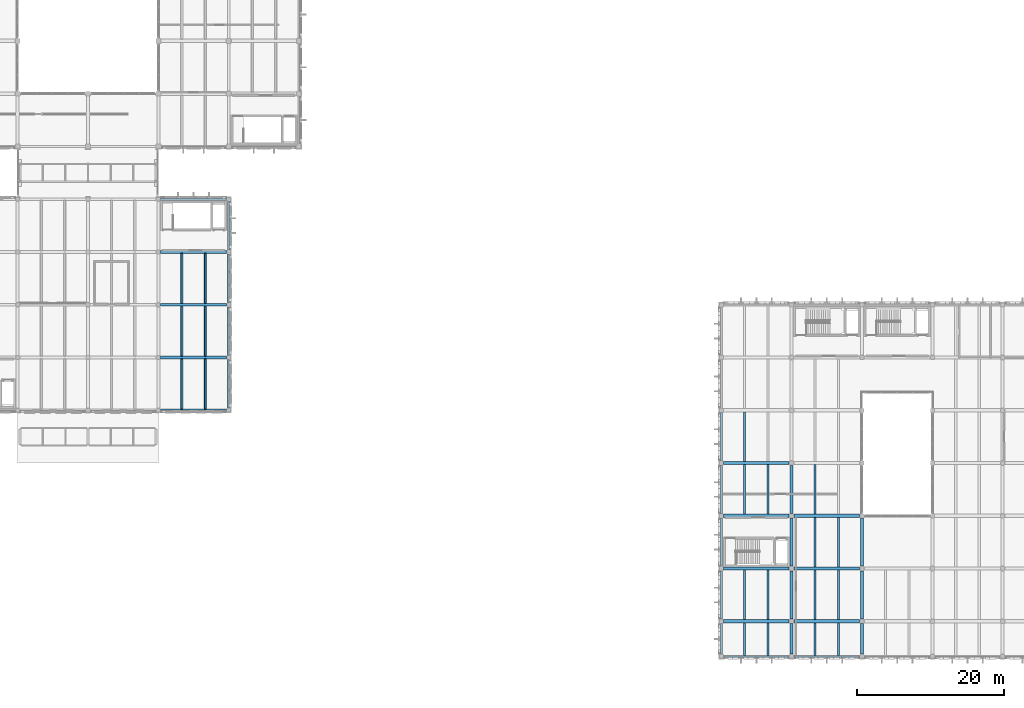
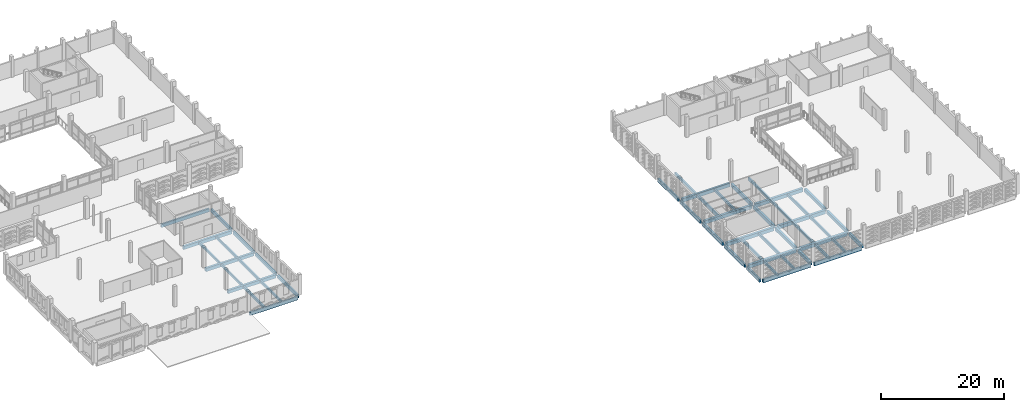
# One storey, part 8 of 72: 50 beams.
"""IFC4 building model written with IfcOpenShell, lengths in metres."""

from ifc_helpers import new_model, si_unit, direction, frame, origin, origin_2d, place, context, subcontext, project, spatial, rectangle, extrude, material, material_profile, profile_set, type_object, element, save


model = new_model("IFC4")

# Units and contexts
model_context = context("Model", 3, precision=1e-05, world=origin(), true_north=direction((0.0, 1.0)))
body_context = subcontext(model_context, "Body", "Model", "MODEL_VIEW")
ifc_project = project(units=[si_unit("LENGTHUNIT", "METRE"), si_unit("AREAUNIT", "SQUARE_METRE"), si_unit("VOLUMEUNIT", "CUBIC_METRE"), si_unit("PLANEANGLEUNIT", "RADIAN"), si_unit("MASSUNIT", "GRAM", prefix="KILO")], contexts=[model_context])

# Site, building, storey
site_placement = place(None, origin())
site = spatial("IfcSite", under=ifc_project, at=site_placement, CompositionType="ELEMENT")
building_placement = place(site_placement, origin())
building = spatial("IfcBuilding", under=site, at=building_placement, Name="Asteropetra Specialist Clinic", CompositionType="ELEMENT")
storey_placement = place(building_placement, frame((0.0, 0.0, 12.580078125)))
storey = spatial("IfcBuildingStorey", under=building, at=storey_placement, Name="L03", CompositionType="ELEMENT", Elevation=12.580078125)

# Beams
ifc_material_1 = material(Name="Concrete C35/45", Category="concrete")
ifc_material_profile_1 = material_profile(ifc_material_1, rectangle(XDim=0.39990234375, YDim=0.64990234375, at=origin_2d()), Name="RCB 400x650")
ifc_profile_set_1 = profile_set([ifc_material_profile_1], Name="Concrete C35/45")
beam_type_1 = type_object("IfcBeamType", Name="BM-RC400x650", PredefinedType="BEAM", material=ifc_profile_set_1)
for number, where, z_axis, x_axis, name in (
    (1, (29.10009765625, 40.800048828125, -0.625), (1.0, 0.0, 0.0), (0.0, 1.0, 0.0), "Beam BBM07-1377"),
    (2, (29.10009765625, 48.0, -0.625), (1.0, 0.0, 0.0), (0.0, 1.0, 0.0), "Beam BBM07-1381"),
    (3, (29.10009765625, 55.199951171875, -0.625), (1.0, 0.0, 0.0), (0.0, 1.0, 0.0), "Beam BBM07-1385"),
):
    element("IfcBeam", number, at=place(storey_placement, frame(where, z_axis=z_axis, x_axis=x_axis)), inside=storey, type_object=beam_type_1, Name=name, PredefinedType="BEAM", context=body_context, shape_type="SweptSolid", body=[
        extrude(rectangle(XDim=0.39990234375, YDim=0.64990234375, at=origin_2d()), origin(), (0.0, 0.0, 1.0), 9.0),
    ])
for number, where, z_axis, x_axis, name in (
    (4, (115.199951171875, 0.324951171875, -0.625), (0.0, 1.0, 0.0), (-1.0, 0.0, 0.0), "Beam BBM07-1476"),
    (5, (124.800048828125, 0.324951171875, -0.625), (0.0, 1.0, 0.0), (-1.0, 0.0, 0.0), "Beam BBM07-1477"),
):
    element("IfcBeam", number, at=place(storey_placement, frame(where, z_axis=z_axis, x_axis=x_axis)), inside=storey, type_object=beam_type_1, Name=name, PredefinedType="BEAM", context=body_context, shape_type="SweptSolid", body=[
        extrude(rectangle(XDim=0.39990234375, YDim=0.64990234375, at=origin_2d()), origin(), (0.0, 0.0, 1.0), 4.150146484375),
    ])
for number, where, z_axis, x_axis, name in (
    (6, (115.199951171875, 5.125, -0.625), (0.0, 1.0, 0.0), (-1.0, 0.0, 0.0), "Beam BBM07-1492"),
    (7, (124.800048828125, 5.125, -0.625), (0.0, 1.0, 0.0), (-1.0, 0.0, 0.0), "Beam BBM07-1493"),
    (8, (115.199951171875, 12.324951171875, -0.625), (0.0, 1.0, 0.0), (-1.0, 0.0, 0.0), "Beam BBM07-1508"),
    (9, (124.800048828125, 12.324951171875, -0.625), (0.0, 1.0, 0.0), (-1.0, 0.0, 0.0), "Beam BBM07-1509"),
    (10, (115.199951171875, 19.52490234375, -0.625), (0.0, 1.0, 0.0), (-1.0, 0.0, 0.0), "Beam BBM07-1520"),
):
    element("IfcBeam", number, at=place(storey_placement, frame(where, z_axis=z_axis, x_axis=x_axis)), inside=storey, type_object=beam_type_1, Name=name, PredefinedType="BEAM", context=body_context, shape_type="SweptSolid", body=[
        extrude(rectangle(XDim=0.39990234375, YDim=0.64990234375, at=origin_2d()), origin(), (0.0, 0.0, 1.0), 6.550048828125),
    ])
ifc_material_2 = material(Name="Concrete C35/45", Category="concrete")
ifc_material_profile_2 = material_profile(ifc_material_2, rectangle(XDim=0.449951171875, YDim=0.699951171875, at=origin_2d()), Name="RCB 450x700")
ifc_profile_set_2 = profile_set([ifc_material_profile_2], Name="Concrete C35/45")
beam_type_2 = type_object("IfcBeamType", Name="BM-RC450x700", PredefinedType="BEAM", material=ifc_profile_set_2)
beam_1_placement = place(storey_placement, frame((105.925048828125, 4.800048828125, -0.650146484375), z_axis=(1.0, 0.0, 0.0), x_axis=(0.0, 1.0, 0.0)))
element("IfcBeam", 11, at=beam_1_placement, inside=storey, type_object=beam_type_2, Name="Beam BBM05-1443", PredefinedType="BEAM", context=body_context, shape_type="SweptSolid", body=[
    extrude(rectangle(XDim=0.449951171875, YDim=0.699951171875, at=origin_2d()), origin(), (0.0, 0.0, 1.0), 8.949951171875),
])
beam_2_placement = place(storey_placement, frame((115.52490234375, 4.800048828125, -0.650146484375), z_axis=(1.0, 0.0, 0.0), x_axis=(0.0, 1.0, 0.0)))
element("IfcBeam", 12, at=beam_2_placement, inside=storey, type_object=beam_type_2, Name="Beam BBM05-1444", PredefinedType="BEAM", context=body_context, shape_type="SweptSolid", body=[
    extrude(rectangle(XDim=0.449951171875, YDim=0.699951171875, at=origin_2d()), origin(), (0.0, 0.0, 1.0), 8.9501953125),
])
beam_3_placement = place(storey_placement, frame((105.925048828125, 12.0, -0.650146484375), z_axis=(1.0, 0.0, 0.0), x_axis=(0.0, 1.0, 0.0)))
element("IfcBeam", 13, at=beam_3_placement, inside=storey, type_object=beam_type_2, Name="Beam BBM05-1448", PredefinedType="BEAM", context=body_context, shape_type="SweptSolid", body=[
    extrude(rectangle(XDim=0.449951171875, YDim=0.699951171875, at=origin_2d()), origin(), (0.0, 0.0, 1.0), 8.949951171875),
])
beam_4_placement = place(storey_placement, frame((115.52490234375, 12.0, -0.650146484375), z_axis=(1.0, 0.0, 0.0), x_axis=(0.0, 1.0, 0.0)))
element("IfcBeam", 14, at=beam_4_placement, inside=storey, type_object=beam_type_2, Name="Beam BBM05-1449", PredefinedType="BEAM", context=body_context, shape_type="SweptSolid", body=[
    extrude(rectangle(XDim=0.449951171875, YDim=0.699951171875, at=origin_2d()), origin(), (0.0, 0.0, 1.0), 8.9501953125),
])
beam_5_placement = place(storey_placement, frame((105.925048828125, 19.199951171875, -0.650146484375), z_axis=(1.0, 0.0, 0.0), x_axis=(0.0, 1.0, 0.0)))
element("IfcBeam", 15, at=beam_5_placement, inside=storey, type_object=beam_type_2, Name="Beam BBM05-1453", PredefinedType="BEAM", context=body_context, shape_type="SweptSolid", body=[
    extrude(rectangle(XDim=0.449951171875, YDim=0.699951171875, at=origin_2d()), origin(), (0.0, 0.0, 1.0), 8.949951171875),
])
beam_6_placement = place(storey_placement, frame((115.52490234375, 19.199951171875, -0.650146484375), z_axis=(1.0, 0.0, 0.0), x_axis=(0.0, 1.0, 0.0)))
element("IfcBeam", 16, at=beam_6_placement, inside=storey, type_object=beam_type_2, Name="Beam BBM05-1454", PredefinedType="BEAM", context=body_context, shape_type="SweptSolid", body=[
    extrude(rectangle(XDim=0.449951171875, YDim=0.699951171875, at=origin_2d()), origin(), (0.0, 0.0, 1.0), 8.9501953125),
])
beam_7_placement = place(storey_placement, frame((105.925048828125, 26.39990234375, -0.650146484375), z_axis=(1.0, 0.0, 0.0), x_axis=(0.0, 1.0, 0.0)))
element("IfcBeam", 17, at=beam_7_placement, inside=storey, type_object=beam_type_2, Name="Beam BBM05-1457", PredefinedType="BEAM", context=body_context, shape_type="SweptSolid", body=[
    extrude(rectangle(XDim=0.449951171875, YDim=0.699951171875, at=origin_2d()), origin(), (0.0, 0.0, 1.0), 8.949951171875),
])
ifc_material_3 = material(Name="Concrete C35/45", Category="concrete")
ifc_material_profile_3 = material_profile(ifc_material_3, rectangle(XDim=0.260009765625, YDim=0.47998046875, at=origin_2d()), Name="RCJ 260x480")
ifc_profile_set_3 = profile_set([ifc_material_profile_3], Name="Concrete C35/45")
beam_type_3 = type_object("IfcBeamType", Name="JST-RC260x480", PredefinedType="JOIST", material=ifc_profile_set_3)
for number, where, z_axis, x_axis, name in (
    (18, (32.0, 33.75, -0.5400390625), (0.0, 1.0, 0.0), (-1.0, 0.0, 0.0), "Joist JJST02-1399"),
    (19, (35.199951171875, 33.75, -0.5400390625), (0.0, 1.0, 0.0), (-1.0, 0.0, 0.0), "Joist JJST02-1400"),
):
    element("IfcBeam", number, at=place(storey_placement, frame(where, z_axis=z_axis, x_axis=x_axis)), inside=storey, type_object=beam_type_3, Name=name, PredefinedType="JOIST", context=body_context, shape_type="SweptSolid", body=[
        extrude(rectangle(XDim=0.260009765625, YDim=0.47998046875, at=origin_2d()), origin(), (0.0, 0.0, 1.0), 6.85009765625),
    ])
for number, where, z_axis, x_axis, name in (
    (20, (32.0, 41.0, -0.5400390625), (0.0, 1.0, 0.0), (-1.0, 0.0, 0.0), "Joist JJST02-1412"),
    (21, (35.199951171875, 41.0, -0.5400390625), (0.0, 1.0, 0.0), (-1.0, 0.0, 0.0), "Joist JJST02-1413"),
    (22, (32.0, 48.199951171875, -0.5400390625), (0.0, 1.0, 0.0), (-1.0, 0.0, 0.0), "Joist JJST02-1425"),
    (23, (35.199951171875, 48.199951171875, -0.5400390625), (0.0, 1.0, 0.0), (-1.0, 0.0, 0.0), "Joist JJST02-1426"),
):
    element("IfcBeam", number, at=place(storey_placement, frame(where, z_axis=z_axis, x_axis=x_axis)), inside=storey, type_object=beam_type_3, Name=name, PredefinedType="JOIST", context=body_context, shape_type="SweptSolid", body=[
        extrude(rectangle(XDim=0.260009765625, YDim=0.47998046875, at=origin_2d()), origin(), (0.0, 0.0, 1.0), 6.800048828125),
    ])
ifc_material_4 = material(Name="Concrete C35/45", Category="concrete")
ifc_material_profile_4 = material_profile(ifc_material_4, rectangle(XDim=0.280029296875, YDim=0.52001953125, at=origin_2d()), Name="RCJ 280x520")
ifc_profile_set_4 = profile_set([ifc_material_profile_4], Name="Concrete C35/45")
beam_type_4 = type_object("IfcBeamType", Name="JST-RC280x520", PredefinedType="JOIST", material=ifc_profile_set_4)
for number, where, z_axis, x_axis, name in (
    (24, (108.800048828125, 0.159912109375, -0.56005859375), (0.0, 1.0, 0.0), (-1.0, 0.0, 0.0), "Joist JJST01-1481"),
    (25, (112.0, 0.159912109375, -0.56005859375), (0.0, 1.0, 0.0), (-1.0, 0.0, 0.0), "Joist JJST01-1482"),
    (26, (118.39990234375, 0.159912109375, -0.56005859375), (0.0, 1.0, 0.0), (-1.0, 0.0, 0.0), "Joist JJST01-1483"),
    (27, (121.60009765625, 0.159912109375, -0.56005859375), (0.0, 1.0, 0.0), (-1.0, 0.0, 0.0), "Joist JJST01-1484"),
):
    element("IfcBeam", number, at=place(storey_placement, frame(where, z_axis=z_axis, x_axis=x_axis)), inside=storey, type_object=beam_type_4, Name=name, PredefinedType="JOIST", context=body_context, shape_type="SweptSolid", body=[
        extrude(rectangle(XDim=0.280029296875, YDim=0.52001953125, at=origin_2d()), origin(), (0.0, 0.0, 1.0), 4.4150390625),
    ])
for number, where, z_axis, x_axis, name in (
    (28, (108.800048828125, 5.02490234375, -0.56005859375), (0.0, 1.0, 0.0), (-1.0, 0.0, 0.0), "Joist JJST01-1497"),
    (29, (112.0, 5.02490234375, -0.56005859375), (0.0, 1.0, 0.0), (-1.0, 0.0, 0.0), "Joist JJST01-1498"),
    (30, (118.39990234375, 5.02490234375, -0.56005859375), (0.0, 1.0, 0.0), (-1.0, 0.0, 0.0), "Joist JJST01-1499"),
    (31, (121.60009765625, 5.02490234375, -0.56005859375), (0.0, 1.0, 0.0), (-1.0, 0.0, 0.0), "Joist JJST01-1500"),
    (32, (118.39990234375, 12.22509765625, -0.56005859375), (0.0, 1.0, 0.0), (-1.0, 0.0, 0.0), "Joist JJST01-1513"),
    (33, (121.60009765625, 12.22509765625, -0.56005859375), (0.0, 1.0, 0.0), (-1.0, 0.0, 0.0), "Joist JJST01-1514"),
    (34, (108.800048828125, 19.425048828125, -0.56005859375), (0.0, 1.0, 0.0), (-1.0, 0.0, 0.0), "Joist JJST01-1523"),
    (35, (112.0, 19.425048828125, -0.56005859375), (0.0, 1.0, 0.0), (-1.0, 0.0, 0.0), "Joist JJST01-1524"),
    (36, (118.39990234375, 19.425048828125, -0.56005859375), (0.0, 1.0, 0.0), (-1.0, 0.0, 0.0), "Joist JJST01-1525"),
    (37, (108.800048828125, 26.625, -0.56005859375), (0.0, 1.0, 0.0), (-1.0, 0.0, 0.0), "Joist JJST01-1535"),
):
    element("IfcBeam", number, at=place(storey_placement, frame(where, z_axis=z_axis, x_axis=x_axis)), inside=storey, type_object=beam_type_4, Name=name, PredefinedType="JOIST", context=body_context, shape_type="SweptSolid", body=[
        extrude(rectangle(XDim=0.280029296875, YDim=0.52001953125, at=origin_2d()), origin(), (0.0, 0.0, 1.0), 6.75),
    ])
ifc_material_5 = material(Name="Concrete C35/45", Category="concrete")
ifc_material_profile_5 = material_profile(ifc_material_5, rectangle(XDim=0.300048828125, YDim=0.64990234375, at=origin_2d()), Name="RCS 300x650")
ifc_profile_set_5 = profile_set([ifc_material_profile_5], Name="Concrete C35/45")
beam_type_5 = type_object("IfcBeamType", Name="SPN-RC300x650", PredefinedType="SPANDREL", material=ifc_profile_set_5)
for number, where, z_axis, x_axis, name in (
    (38, (29.10009765625, 33.60009765625, -0.625), (1.0, 0.0, 0.0), (0.0, 1.0, 0.0), "Beam BSPN03-1373"),
    (39, (29.10009765625, 62.39990234375, -0.625), (1.0, 0.0, 0.0), (0.0, 1.0, 0.0), "Beam BSPN03-1389"),
):
    element("IfcBeam", number, at=place(storey_placement, frame(where, z_axis=z_axis, x_axis=x_axis)), inside=storey, type_object=beam_type_5, Name=name, PredefinedType="SPANDREL", context=body_context, shape_type="SweptSolid", body=[
        extrude(rectangle(XDim=0.300048828125, YDim=0.64990234375, at=origin_2d()), origin(), (0.0, 0.0, 1.0), 9.0),
    ])
beam_8_placement = place(storey_placement, frame((38.39990234375, 33.89990234375, -0.625), z_axis=(0.0, 1.0, 0.0), x_axis=(-1.0, 0.0, 0.0)))
element("IfcBeam", 40, at=beam_8_placement, inside=storey, type_object=beam_type_5, Name="Beam BSPN03-1394", PredefinedType="SPANDREL", context=body_context, shape_type="SweptSolid", body=[
    extrude(rectangle(XDim=0.300048828125, YDim=0.64990234375, at=origin_2d()), origin(), (0.0, 0.0, 1.0), 6.60009765625),
])
for number, where, z_axis, x_axis, name in (
    (41, (38.39990234375, 41.10009765625, -0.625), (0.0, 1.0, 0.0), (-1.0, 0.0, 0.0), "Beam BSPN03-1405"),
    (42, (38.39990234375, 48.300048828125, -0.625), (0.0, 1.0, 0.0), (-1.0, 0.0, 0.0), "Beam BSPN03-1418"),
):
    element("IfcBeam", number, at=place(storey_placement, frame(where, z_axis=z_axis, x_axis=x_axis)), inside=storey, type_object=beam_type_5, Name=name, PredefinedType="SPANDREL", context=body_context, shape_type="SweptSolid", body=[
        extrude(rectangle(XDim=0.300048828125, YDim=0.64990234375, at=origin_2d()), origin(), (0.0, 0.0, 1.0), 6.599853515625),
    ])
beam_9_placement = place(storey_placement, frame((38.39990234375, 55.5, -0.625), z_axis=(0.0, 1.0, 0.0), x_axis=(-1.0, 0.0, 0.0)))
element("IfcBeam", 43, at=beam_9_placement, inside=storey, type_object=beam_type_5, Name="Beam BSPN03-1431", PredefinedType="SPANDREL", context=body_context, shape_type="SweptSolid", body=[
    extrude(rectangle(XDim=0.300048828125, YDim=0.64990234375, at=origin_2d()), origin(), (0.0, 0.0, 1.0), 6.60009765625),
])
ifc_material_6 = material(Name="Concrete C35/45", Category="concrete")
ifc_material_profile_6 = material_profile(ifc_material_6, rectangle(XDim=0.320068359375, YDim=0.699951171875, at=origin_2d()), Name="RCS 320x700")
ifc_profile_set_6 = profile_set([ifc_material_profile_6], Name="Concrete C35/45")
beam_type_6 = type_object("IfcBeamType", Name="SPN-RC320x700", PredefinedType="SPANDREL", material=ifc_profile_set_6)
beam_10_placement = place(storey_placement, frame((105.925048828125, 0.0, -0.650146484375), z_axis=(1.0, 0.0, 0.0), x_axis=(0.0, 1.0, 0.0)))
element("IfcBeam", 44, at=beam_10_placement, inside=storey, type_object=beam_type_6, Name="Beam BSPN02-1438", PredefinedType="SPANDREL", context=body_context, shape_type="SweptSolid", body=[
    extrude(rectangle(XDim=0.320068359375, YDim=0.699951171875, at=origin_2d()), origin(), (0.0, 0.0, 1.0), 8.949951171875),
])
beam_11_placement = place(storey_placement, frame((115.52490234375, 0.0, -0.650146484375), z_axis=(1.0, 0.0, 0.0), x_axis=(0.0, 1.0, 0.0)))
element("IfcBeam", 45, at=beam_11_placement, inside=storey, type_object=beam_type_6, Name="Beam BSPN02-1439", PredefinedType="SPANDREL", context=body_context, shape_type="SweptSolid", body=[
    extrude(rectangle(XDim=0.320068359375, YDim=0.699951171875, at=origin_2d()), origin(), (0.0, 0.0, 1.0), 8.9501953125),
])
beam_12_placement = place(storey_placement, frame((105.60009765625, 0.324951171875, -0.650146484375), z_axis=(0.0, 1.0, 0.0), x_axis=(-1.0, 0.0, 0.0)))
element("IfcBeam", 46, at=beam_12_placement, inside=storey, type_object=beam_type_6, Name="Beam BSPN02-1475", PredefinedType="SPANDREL", context=body_context, shape_type="SweptSolid", body=[
    extrude(rectangle(XDim=0.320068359375, YDim=0.699951171875, at=origin_2d()), origin(), (0.0, 0.0, 1.0), 4.150146484375),
])
for number, where, z_axis, x_axis, name in (
    (47, (105.60009765625, 5.125, -0.650146484375), (0.0, 1.0, 0.0), (-1.0, 0.0, 0.0), "Beam BSPN02-1491"),
    (48, (105.60009765625, 12.324951171875, -0.650146484375), (0.0, 1.0, 0.0), (-1.0, 0.0, 0.0), "Beam BSPN02-1507"),
    (49, (105.60009765625, 19.52490234375, -0.650146484375), (0.0, 1.0, 0.0), (-1.0, 0.0, 0.0), "Beam BSPN02-1519"),
):
    element("IfcBeam", number, at=place(storey_placement, frame(where, z_axis=z_axis, x_axis=x_axis)), inside=storey, type_object=beam_type_6, Name=name, PredefinedType="SPANDREL", context=body_context, shape_type="SweptSolid", body=[
        extrude(rectangle(XDim=0.320068359375, YDim=0.699951171875, at=origin_2d()), origin(), (0.0, 0.0, 1.0), 6.550048828125),
    ])
beam_13_placement = place(storey_placement, frame((105.60009765625, 26.72509765625, -0.650146484375), z_axis=(0.0, 1.0, 0.0), x_axis=(-1.0, 0.0, 0.0)))
element("IfcBeam", 50, at=beam_13_placement, inside=storey, type_object=beam_type_6, Name="Beam BSPN02-1531", PredefinedType="SPANDREL", context=body_context, shape_type="SweptSolid", body=[
    extrude(rectangle(XDim=0.320068359375, YDim=0.699951171875, at=origin_2d()), origin(), (0.0, 0.0, 1.0), 6.5498046875),
])

save(model, "model.ifc")
